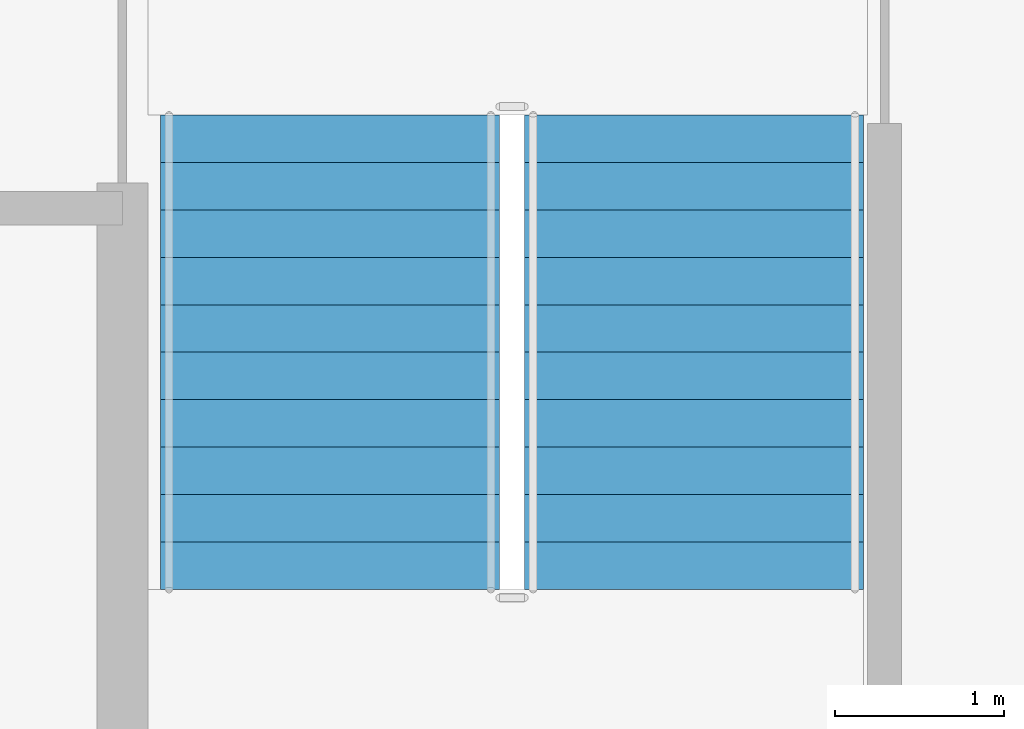
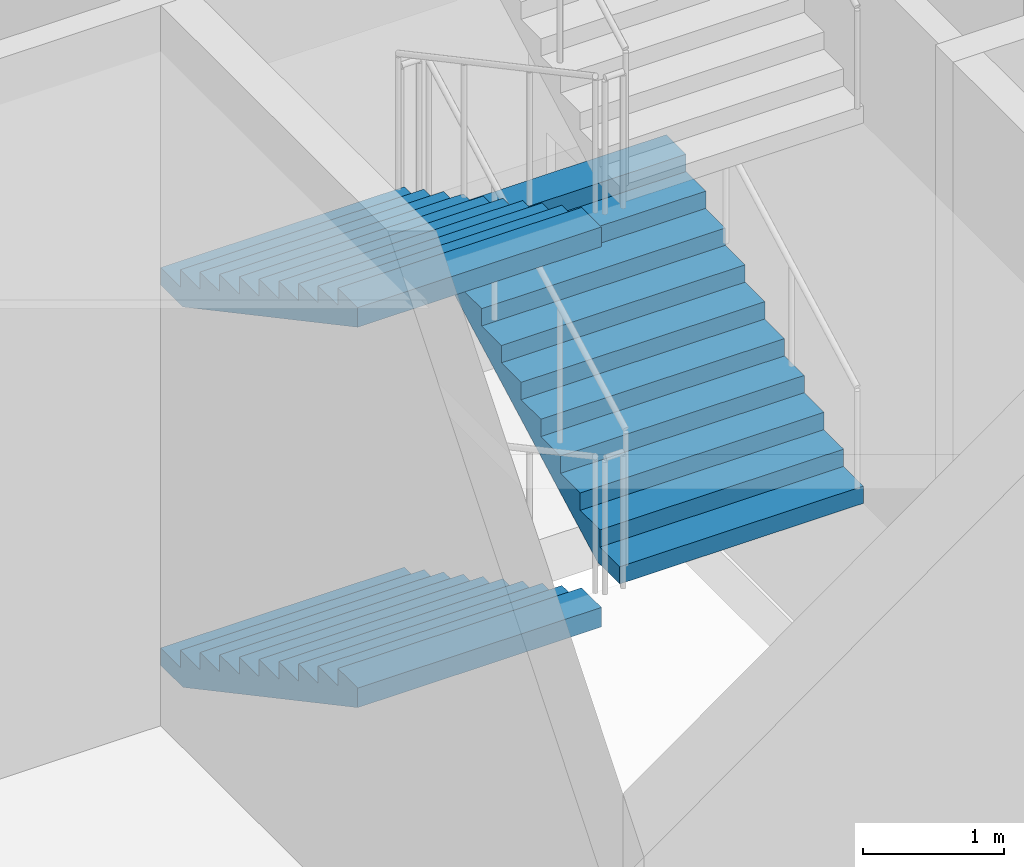
# One storey, part 22 of 38: 3 stair flights, 1 element without a shape of its own.
"""IFC4 building model written with IfcOpenShell, lengths in metres."""

from ifc_helpers import new_model, si_unit, direction, frame, origin, place, context, subcontext, project, spatial, polygons, material, type_object, element, aggregate, save


model = new_model("IFC4")

# Units and contexts
model_context = context("Model", 3, precision=1e-05, world=origin(), true_north=direction((0.0, 1.0)))
body_context = subcontext(model_context, "Body", "Model", "MODEL_VIEW")
ifc_project = project(units=[si_unit("LENGTHUNIT", "METRE"), si_unit("AREAUNIT", "SQUARE_METRE"), si_unit("VOLUMEUNIT", "CUBIC_METRE"), si_unit("PLANEANGLEUNIT", "RADIAN"), si_unit("MASSUNIT", "GRAM", prefix="KILO")], contexts=[model_context])

# Site, building, storey
site_placement = place(None, origin())
site = spatial("IfcSite", under=ifc_project, at=site_placement, CompositionType="ELEMENT")
building_placement = place(site_placement, origin())
building = spatial("IfcBuilding", under=site, at=building_placement, Name="Caravel Reach Hotel and Residences", CompositionType="ELEMENT")
storey_placement = place(building_placement, origin())
storey = spatial("IfcBuildingStorey", under=building, at=storey_placement, Name="L00", CompositionType="ELEMENT", Elevation=0.0)

# Stair, stair flights
ifc_material_1 = material(Name="Concrete C40", Category="concrete")
stair_type = type_object("IfcStairType", Name="Core stair", PredefinedType="HALF_TURN_STAIR", material=ifc_material_1)
stair_placement = place(storey_placement, origin())
stair = element("IfcStair", 1, at=stair_placement, inside=storey, type_object=stair_type, Name="L00 Exit stair A", PredefinedType="HALF_TURN_STAIR")
ifc_material_2 = material(Name="Concrete C40", Category="concrete")
stair_flight_type = type_object("IfcStairFlightType", Name="Core stair flight", PredefinedType="STRAIGHT", material=ifc_material_2)
stair_flight_1_placement = place(storey_placement, frame((19.22509765625, 29.35009765625, 0.0), z_axis=(0.0, 0.0, 1.0), x_axis=(0.0, -1.0, 0.0)))
stair_flight_1 = element("IfcStairFlight", 2, at=stair_flight_1_placement, type_object=stair_flight_type, Name="ST-A flight 1", NumberOfRisers=11, NumberOfTreads=10, PredefinedType="STRAIGHT", RiserHeight=0.15, TreadLength=0.28, context=body_context, shape_type="Tessellation", body=[
    polygons([(0.3174408016601862, 1.0, 0.0), (0.3174408016601862, 0.6666666666666667, 0.0), (0.3174408016601862, 0.33333333333333337, 0.0), (0.3174408016601862, 0.0, 0.0), (0.3174408016601862, -0.33333333333333326, 0.0), (0.3174408016601862, -0.6666666666666667, 0.0), (0.3174408016601862, -1.0, 0.0), (2.801, 1.0, 1.329942427682043), (2.801, 0.6666666666666667, 1.329942427682043), (2.801, 0.33333333333333337, 1.329942427682043), (2.801, 0.0, 1.329942427682043), (2.801, -0.33333333333333326, 1.329942427682043), (2.801, -0.6666666666666667, 1.329942427682043), (2.801, -1.0, 1.329942427682043), (2.801, 1.0, 1.5), (2.801, 0.6666666666666667, 1.5), (2.801, 0.33333333333333337, 1.5), (2.801, 0.0, 1.5), (2.801, -0.33333333333333326, 1.5), (2.801, -0.6666666666666667, 1.5), (2.801, -1.0, 1.5), (2.5200000000000005, 1.0, 1.5), (2.5200000000000005, 0.6666666666666667, 1.5), (2.5200000000000005, 0.33333333333333337, 1.5), (2.5200000000000005, 0.0, 1.5), (2.5200000000000005, -0.33333333333333326, 1.5), (2.5200000000000005, -0.6666666666666667, 1.5), (2.5200000000000005, -1.0, 1.5), (2.5200000000000005, 1.0, 1.3499999999999999), (2.5200000000000005, 0.6666666666666667, 1.3499999999999999), (2.5200000000000005, 0.33333333333333337, 1.3499999999999999), (2.5200000000000005, 0.0, 1.3499999999999999), (2.5200000000000005, -0.33333333333333326, 1.3499999999999999), (2.5200000000000005, -0.6666666666666667, 1.3499999999999999), (2.5200000000000005, -1.0, 1.3499999999999999), (2.24, 1.0, 1.3499999999999999), (2.24, 0.6666666666666667, 1.3499999999999999), (2.24, 0.33333333333333337, 1.3499999999999999), (2.24, 0.0, 1.3499999999999999), (2.24, -0.33333333333333326, 1.3499999999999999), (2.24, -0.6666666666666667, 1.3499999999999999), (2.24, -1.0, 1.3499999999999999), (2.24, 1.0, 1.2), (2.24, 0.6666666666666667, 1.2), (2.24, 0.33333333333333337, 1.2), (2.24, 0.0, 1.2), (2.24, -0.33333333333333326, 1.2), (2.24, -0.6666666666666667, 1.2), (2.24, -1.0, 1.2), (1.9600000000000002, 1.0, 1.2), (1.9600000000000002, 0.6666666666666667, 1.2), (1.9600000000000002, 0.33333333333333337, 1.2), (1.9600000000000002, 0.0, 1.2), (1.9600000000000002, -0.33333333333333326, 1.2), (1.9600000000000002, -0.6666666666666667, 1.2), (1.9600000000000002, -1.0, 1.2), (1.9600000000000002, 1.0, 1.05), (1.9600000000000002, 0.6666666666666667, 1.05), (1.9600000000000002, 0.33333333333333337, 1.05), (1.9600000000000002, 0.0, 1.05), (1.9600000000000002, -0.33333333333333326, 1.05), (1.9600000000000002, -0.6666666666666667, 1.05), (1.9600000000000002, -1.0, 1.05), (1.6800000000000002, 1.0, 1.05), (1.6800000000000002, 0.6666666666666667, 1.05), (1.6800000000000002, 0.33333333333333337, 1.05), (1.6800000000000002, 0.0, 1.05), (1.6800000000000002, -0.33333333333333326, 1.05), (1.6800000000000002, -0.6666666666666667, 1.05), (1.6800000000000002, -1.0, 1.05), (1.6800000000000002, 1.0, 0.8999999999999999), (1.6800000000000002, 0.6666666666666667, 0.8999999999999999), (1.6800000000000002, 0.33333333333333337, 0.8999999999999999), (1.6800000000000002, 0.0, 0.8999999999999999), (1.6800000000000002, -0.33333333333333326, 0.8999999999999999), (1.6800000000000002, -0.6666666666666667, 0.8999999999999999), (1.6800000000000002, -1.0, 0.8999999999999999), (1.4000000000000001, 1.0, 0.8999999999999999), (1.4000000000000001, 0.6666666666666667, 0.8999999999999999), (1.4000000000000001, 0.33333333333333337, 0.8999999999999999), (1.4000000000000001, 0.0, 0.8999999999999999), (1.4000000000000001, -0.33333333333333326, 0.8999999999999999), (1.4000000000000001, -0.6666666666666667, 0.8999999999999999), (1.4000000000000001, -1.0, 0.8999999999999999), (1.4000000000000001, 1.0, 0.75), (1.4000000000000001, 0.6666666666666667, 0.75), (1.4000000000000001, 0.33333333333333337, 0.75), (1.4000000000000001, 0.0, 0.75), (1.4000000000000001, -0.33333333333333326, 0.75), (1.4000000000000001, -0.6666666666666667, 0.75), (1.4000000000000001, -1.0, 0.75), (1.12, 1.0, 0.75), (1.12, 0.6666666666666667, 0.75), (1.12, 0.33333333333333337, 0.75), (1.12, 0.0, 0.75), (1.12, -0.33333333333333326, 0.75), (1.12, -0.6666666666666667, 0.75), (1.12, -1.0, 0.75), (1.12, 1.0, 0.6), (1.12, 0.6666666666666667, 0.6), (1.12, 0.33333333333333337, 0.6), (1.12, 0.0, 0.6), (1.12, -0.33333333333333326, 0.6), (1.12, -0.6666666666666667, 0.6), (1.12, -1.0, 0.6), (0.8400000000000001, 1.0, 0.6), (0.8400000000000001, 0.6666666666666667, 0.6), (0.8400000000000001, 0.33333333333333337, 0.6), (0.8400000000000001, 0.0, 0.6), (0.8400000000000001, -0.33333333333333326, 0.6), (0.8400000000000001, -0.6666666666666667, 0.6), (0.8400000000000001, -1.0, 0.6), (0.8400000000000001, 1.0, 0.44999999999999996), (0.8400000000000001, 0.6666666666666667, 0.44999999999999996), (0.8400000000000001, 0.33333333333333337, 0.44999999999999996), (0.8400000000000001, 0.0, 0.44999999999999996), (0.8400000000000001, -0.33333333333333326, 0.44999999999999996), (0.8400000000000001, -0.6666666666666667, 0.44999999999999996), (0.8400000000000001, -1.0, 0.44999999999999996), (0.56, 1.0, 0.44999999999999996), (0.56, 0.6666666666666667, 0.44999999999999996), (0.56, 0.33333333333333337, 0.44999999999999996), (0.56, 0.0, 0.44999999999999996), (0.56, -0.33333333333333326, 0.44999999999999996), (0.56, -0.6666666666666667, 0.44999999999999996), (0.56, -1.0, 0.44999999999999996), (0.56, 1.0, 0.3), (0.56, 0.6666666666666667, 0.3), (0.56, 0.33333333333333337, 0.3), (0.56, 0.0, 0.3), (0.56, -0.33333333333333326, 0.3), (0.56, -0.6666666666666667, 0.3), (0.56, -1.0, 0.3), (0.28, 1.0, 0.3), (0.28, 0.6666666666666667, 0.3), (0.28, 0.33333333333333337, 0.3), (0.28, 0.0, 0.3), (0.28, -0.33333333333333326, 0.3), (0.28, -0.6666666666666667, 0.3), (0.28, -1.0, 0.3), (0.28, 1.0, 0.15), (0.28, 0.6666666666666667, 0.15), (0.28, 0.33333333333333337, 0.15), (0.28, 0.0, 0.15), (0.28, -0.33333333333333326, 0.15), (0.28, -0.6666666666666667, 0.15), (0.28, -1.0, 0.15), (-0.001, 1.0, 0.15), (-0.001, 0.6666666666666667, 0.15), (-0.001, 0.33333333333333337, 0.15), (-0.001, 0.0, 0.15), (-0.001, -0.33333333333333326, 0.15), (-0.001, -0.6666666666666667, 0.15), (-0.001, -1.0, 0.15), (-0.001, 1.0, 0.0), (-0.001, 0.6666666666666667, 0.0), (-0.001, 0.33333333333333337, 0.0), (-0.001, 0.0, 0.0), (-0.001, -0.33333333333333326, 0.0), (-0.001, -0.6666666666666667, 0.0), (-0.001, -1.0, 0.0)], [[[155, 148, 141, 134, 127, 120, 113, 106, 99, 92, 85, 78, 71, 64, 57, 50, 43, 36, 29, 22, 15, 8, 1]], [[7, 14, 21, 28, 35, 42, 49, 56, 63, 70, 77, 84, 91, 98, 105, 112, 119, 126, 133, 140, 147, 154, 161]], [[1, 8, 9, 2]], [[2, 9, 10, 3]], [[3, 10, 11, 4]], [[4, 11, 12, 5]], [[5, 12, 13, 6]], [[6, 13, 14, 7]], [[8, 15, 16, 9]], [[9, 16, 17, 10]], [[10, 17, 18, 11]], [[11, 18, 19, 12]], [[12, 19, 20, 13]], [[13, 20, 21, 14]], [[15, 22, 23, 16]], [[16, 23, 24, 17]], [[17, 24, 25, 18]], [[18, 25, 26, 19]], [[19, 26, 27, 20]], [[20, 27, 28, 21]], [[22, 29, 30, 23]], [[23, 30, 31, 24]], [[24, 31, 32, 25]], [[25, 32, 33, 26]], [[26, 33, 34, 27]], [[27, 34, 35, 28]], [[29, 36, 37, 30]], [[30, 37, 38, 31]], [[31, 38, 39, 32]], [[32, 39, 40, 33]], [[33, 40, 41, 34]], [[34, 41, 42, 35]], [[36, 43, 44, 37]], [[37, 44, 45, 38]], [[38, 45, 46, 39]], [[39, 46, 47, 40]], [[40, 47, 48, 41]], [[41, 48, 49, 42]], [[43, 50, 51, 44]], [[44, 51, 52, 45]], [[45, 52, 53, 46]], [[46, 53, 54, 47]], [[47, 54, 55, 48]], [[48, 55, 56, 49]], [[50, 57, 58, 51]], [[51, 58, 59, 52]], [[52, 59, 60, 53]], [[53, 60, 61, 54]], [[54, 61, 62, 55]], [[55, 62, 63, 56]], [[57, 64, 65, 58]], [[58, 65, 66, 59]], [[59, 66, 67, 60]], [[60, 67, 68, 61]], [[61, 68, 69, 62]], [[62, 69, 70, 63]], [[64, 71, 72, 65]], [[65, 72, 73, 66]], [[66, 73, 74, 67]], [[67, 74, 75, 68]], [[68, 75, 76, 69]], [[69, 76, 77, 70]], [[71, 78, 79, 72]], [[72, 79, 80, 73]], [[73, 80, 81, 74]], [[74, 81, 82, 75]], [[75, 82, 83, 76]], [[76, 83, 84, 77]], [[78, 85, 86, 79]], [[79, 86, 87, 80]], [[80, 87, 88, 81]], [[81, 88, 89, 82]], [[82, 89, 90, 83]], [[83, 90, 91, 84]], [[85, 92, 93, 86]], [[86, 93, 94, 87]], [[87, 94, 95, 88]], [[88, 95, 96, 89]], [[89, 96, 97, 90]], [[90, 97, 98, 91]], [[92, 99, 100, 93]], [[93, 100, 101, 94]], [[94, 101, 102, 95]], [[95, 102, 103, 96]], [[96, 103, 104, 97]], [[97, 104, 105, 98]], [[99, 106, 107, 100]], [[100, 107, 108, 101]], [[101, 108, 109, 102]], [[102, 109, 110, 103]], [[103, 110, 111, 104]], [[104, 111, 112, 105]], [[106, 113, 114, 107]], [[107, 114, 115, 108]], [[108, 115, 116, 109]], [[109, 116, 117, 110]], [[110, 117, 118, 111]], [[111, 118, 119, 112]], [[113, 120, 121, 114]], [[114, 121, 122, 115]], [[115, 122, 123, 116]], [[116, 123, 124, 117]], [[117, 124, 125, 118]], [[118, 125, 126, 119]], [[120, 127, 128, 121]], [[121, 128, 129, 122]], [[122, 129, 130, 123]], [[123, 130, 131, 124]], [[124, 131, 132, 125]], [[125, 132, 133, 126]], [[127, 134, 135, 128]], [[128, 135, 136, 129]], [[129, 136, 137, 130]], [[130, 137, 138, 131]], [[131, 138, 139, 132]], [[132, 139, 140, 133]], [[134, 141, 142, 135]], [[135, 142, 143, 136]], [[136, 143, 144, 137]], [[137, 144, 145, 138]], [[138, 145, 146, 139]], [[139, 146, 147, 140]], [[141, 148, 149, 142]], [[142, 149, 150, 143]], [[143, 150, 151, 144]], [[144, 151, 152, 145]], [[145, 152, 153, 146]], [[146, 153, 154, 147]], [[148, 155, 156, 149]], [[149, 156, 157, 150]], [[150, 157, 158, 151]], [[151, 158, 159, 152]], [[152, 159, 160, 153]], [[153, 160, 161, 154]], [[155, 1, 2, 156]], [[156, 2, 3, 157]], [[157, 3, 4, 158]], [[158, 4, 5, 159]], [[159, 5, 6, 160]], [[160, 6, 7, 161]]], closed=True),
])
stair_flight_2_placement = place(storey_placement, frame((21.375, 26.550048828125, 1.64990234375), z_axis=(0.0, 0.0, 1.0), x_axis=(0.0, 1.0, 0.0)))
stair_flight_2 = element("IfcStairFlight", 3, at=stair_flight_2_placement, type_object=stair_flight_type, Name="ST-A flight 2", NumberOfRisers=11, NumberOfTreads=10, PredefinedType="STRAIGHT", RiserHeight=0.15, TreadLength=0.28, context=body_context, shape_type="Tessellation", body=[
    polygons([(0.3174408016601862, 1.0, 0.0), (0.3174408016601862, 0.6666666666666667, 0.0), (0.3174408016601862, 0.33333333333333337, 0.0), (0.3174408016601862, 0.0, 0.0), (0.3174408016601862, -0.33333333333333326, 0.0), (0.3174408016601862, -0.6666666666666667, 0.0), (0.3174408016601862, -1.0, 0.0), (2.801, 1.0, 1.329942427682043), (2.801, 0.6666666666666667, 1.329942427682043), (2.801, 0.33333333333333337, 1.329942427682043), (2.801, 0.0, 1.329942427682043), (2.801, -0.33333333333333326, 1.329942427682043), (2.801, -0.6666666666666667, 1.329942427682043), (2.801, -1.0, 1.329942427682043), (2.801, 1.0, 1.5), (2.801, 0.6666666666666667, 1.5), (2.801, 0.33333333333333337, 1.5), (2.801, 0.0, 1.5), (2.801, -0.33333333333333326, 1.5), (2.801, -0.6666666666666667, 1.5), (2.801, -1.0, 1.5), (2.5200000000000005, 1.0, 1.5), (2.5200000000000005, 0.6666666666666667, 1.5), (2.5200000000000005, 0.33333333333333337, 1.5), (2.5200000000000005, 0.0, 1.5), (2.5200000000000005, -0.33333333333333326, 1.5), (2.5200000000000005, -0.6666666666666667, 1.5), (2.5200000000000005, -1.0, 1.5), (2.5200000000000005, 1.0, 1.3499999999999999), (2.5200000000000005, 0.6666666666666667, 1.3499999999999999), (2.5200000000000005, 0.33333333333333337, 1.3499999999999999), (2.5200000000000005, 0.0, 1.3499999999999999), (2.5200000000000005, -0.33333333333333326, 1.3499999999999999), (2.5200000000000005, -0.6666666666666667, 1.3499999999999999), (2.5200000000000005, -1.0, 1.3499999999999999), (2.24, 1.0, 1.3499999999999999), (2.24, 0.6666666666666667, 1.3499999999999999), (2.24, 0.33333333333333337, 1.3499999999999999), (2.24, 0.0, 1.3499999999999999), (2.24, -0.33333333333333326, 1.3499999999999999), (2.24, -0.6666666666666667, 1.3499999999999999), (2.24, -1.0, 1.3499999999999999), (2.24, 1.0, 1.2), (2.24, 0.6666666666666667, 1.2), (2.24, 0.33333333333333337, 1.2), (2.24, 0.0, 1.2), (2.24, -0.33333333333333326, 1.2), (2.24, -0.6666666666666667, 1.2), (2.24, -1.0, 1.2), (1.9600000000000002, 1.0, 1.2), (1.9600000000000002, 0.6666666666666667, 1.2), (1.9600000000000002, 0.33333333333333337, 1.2), (1.9600000000000002, 0.0, 1.2), (1.9600000000000002, -0.33333333333333326, 1.2), (1.9600000000000002, -0.6666666666666667, 1.2), (1.9600000000000002, -1.0, 1.2), (1.9600000000000002, 1.0, 1.05), (1.9600000000000002, 0.6666666666666667, 1.05), (1.9600000000000002, 0.33333333333333337, 1.05), (1.9600000000000002, 0.0, 1.05), (1.9600000000000002, -0.33333333333333326, 1.05), (1.9600000000000002, -0.6666666666666667, 1.05), (1.9600000000000002, -1.0, 1.05), (1.6800000000000002, 1.0, 1.05), (1.6800000000000002, 0.6666666666666667, 1.05), (1.6800000000000002, 0.33333333333333337, 1.05), (1.6800000000000002, 0.0, 1.05), (1.6800000000000002, -0.33333333333333326, 1.05), (1.6800000000000002, -0.6666666666666667, 1.05), (1.6800000000000002, -1.0, 1.05), (1.6800000000000002, 1.0, 0.8999999999999999), (1.6800000000000002, 0.6666666666666667, 0.8999999999999999), (1.6800000000000002, 0.33333333333333337, 0.8999999999999999), (1.6800000000000002, 0.0, 0.8999999999999999), (1.6800000000000002, -0.33333333333333326, 0.8999999999999999), (1.6800000000000002, -0.6666666666666667, 0.8999999999999999), (1.6800000000000002, -1.0, 0.8999999999999999), (1.4000000000000001, 1.0, 0.8999999999999999), (1.4000000000000001, 0.6666666666666667, 0.8999999999999999), (1.4000000000000001, 0.33333333333333337, 0.8999999999999999), (1.4000000000000001, 0.0, 0.8999999999999999), (1.4000000000000001, -0.33333333333333326, 0.8999999999999999), (1.4000000000000001, -0.6666666666666667, 0.8999999999999999), (1.4000000000000001, -1.0, 0.8999999999999999), (1.4000000000000001, 1.0, 0.75), (1.4000000000000001, 0.6666666666666667, 0.75), (1.4000000000000001, 0.33333333333333337, 0.75), (1.4000000000000001, 0.0, 0.75), (1.4000000000000001, -0.33333333333333326, 0.75), (1.4000000000000001, -0.6666666666666667, 0.75), (1.4000000000000001, -1.0, 0.75), (1.12, 1.0, 0.75), (1.12, 0.6666666666666667, 0.75), (1.12, 0.33333333333333337, 0.75), (1.12, 0.0, 0.75), (1.12, -0.33333333333333326, 0.75), (1.12, -0.6666666666666667, 0.75), (1.12, -1.0, 0.75), (1.12, 1.0, 0.6), (1.12, 0.6666666666666667, 0.6), (1.12, 0.33333333333333337, 0.6), (1.12, 0.0, 0.6), (1.12, -0.33333333333333326, 0.6), (1.12, -0.6666666666666667, 0.6), (1.12, -1.0, 0.6), (0.8400000000000001, 1.0, 0.6), (0.8400000000000001, 0.6666666666666667, 0.6), (0.8400000000000001, 0.33333333333333337, 0.6), (0.8400000000000001, 0.0, 0.6), (0.8400000000000001, -0.33333333333333326, 0.6), (0.8400000000000001, -0.6666666666666667, 0.6), (0.8400000000000001, -1.0, 0.6), (0.8400000000000001, 1.0, 0.44999999999999996), (0.8400000000000001, 0.6666666666666667, 0.44999999999999996), (0.8400000000000001, 0.33333333333333337, 0.44999999999999996), (0.8400000000000001, 0.0, 0.44999999999999996), (0.8400000000000001, -0.33333333333333326, 0.44999999999999996), (0.8400000000000001, -0.6666666666666667, 0.44999999999999996), (0.8400000000000001, -1.0, 0.44999999999999996), (0.56, 1.0, 0.44999999999999996), (0.56, 0.6666666666666667, 0.44999999999999996), (0.56, 0.33333333333333337, 0.44999999999999996), (0.56, 0.0, 0.44999999999999996), (0.56, -0.33333333333333326, 0.44999999999999996), (0.56, -0.6666666666666667, 0.44999999999999996), (0.56, -1.0, 0.44999999999999996), (0.56, 1.0, 0.3), (0.56, 0.6666666666666667, 0.3), (0.56, 0.33333333333333337, 0.3), (0.56, 0.0, 0.3), (0.56, -0.33333333333333326, 0.3), (0.56, -0.6666666666666667, 0.3), (0.56, -1.0, 0.3), (0.28, 1.0, 0.3), (0.28, 0.6666666666666667, 0.3), (0.28, 0.33333333333333337, 0.3), (0.28, 0.0, 0.3), (0.28, -0.33333333333333326, 0.3), (0.28, -0.6666666666666667, 0.3), (0.28, -1.0, 0.3), (0.28, 1.0, 0.15), (0.28, 0.6666666666666667, 0.15), (0.28, 0.33333333333333337, 0.15), (0.28, 0.0, 0.15), (0.28, -0.33333333333333326, 0.15), (0.28, -0.6666666666666667, 0.15), (0.28, -1.0, 0.15), (-0.001, 1.0, 0.15), (-0.001, 0.6666666666666667, 0.15), (-0.001, 0.33333333333333337, 0.15), (-0.001, 0.0, 0.15), (-0.001, -0.33333333333333326, 0.15), (-0.001, -0.6666666666666667, 0.15), (-0.001, -1.0, 0.15), (-0.001, 1.0, 0.0), (-0.001, 0.6666666666666667, 0.0), (-0.001, 0.33333333333333337, 0.0), (-0.001, 0.0, 0.0), (-0.001, -0.33333333333333326, 0.0), (-0.001, -0.6666666666666667, 0.0), (-0.001, -1.0, 0.0)], [[[155, 148, 141, 134, 127, 120, 113, 106, 99, 92, 85, 78, 71, 64, 57, 50, 43, 36, 29, 22, 15, 8, 1]], [[7, 14, 21, 28, 35, 42, 49, 56, 63, 70, 77, 84, 91, 98, 105, 112, 119, 126, 133, 140, 147, 154, 161]], [[1, 8, 9, 2]], [[2, 9, 10, 3]], [[3, 10, 11, 4]], [[4, 11, 12, 5]], [[5, 12, 13, 6]], [[6, 13, 14, 7]], [[8, 15, 16, 9]], [[9, 16, 17, 10]], [[10, 17, 18, 11]], [[11, 18, 19, 12]], [[12, 19, 20, 13]], [[13, 20, 21, 14]], [[15, 22, 23, 16]], [[16, 23, 24, 17]], [[17, 24, 25, 18]], [[18, 25, 26, 19]], [[19, 26, 27, 20]], [[20, 27, 28, 21]], [[22, 29, 30, 23]], [[23, 30, 31, 24]], [[24, 31, 32, 25]], [[25, 32, 33, 26]], [[26, 33, 34, 27]], [[27, 34, 35, 28]], [[29, 36, 37, 30]], [[30, 37, 38, 31]], [[31, 38, 39, 32]], [[32, 39, 40, 33]], [[33, 40, 41, 34]], [[34, 41, 42, 35]], [[36, 43, 44, 37]], [[37, 44, 45, 38]], [[38, 45, 46, 39]], [[39, 46, 47, 40]], [[40, 47, 48, 41]], [[41, 48, 49, 42]], [[43, 50, 51, 44]], [[44, 51, 52, 45]], [[45, 52, 53, 46]], [[46, 53, 54, 47]], [[47, 54, 55, 48]], [[48, 55, 56, 49]], [[50, 57, 58, 51]], [[51, 58, 59, 52]], [[52, 59, 60, 53]], [[53, 60, 61, 54]], [[54, 61, 62, 55]], [[55, 62, 63, 56]], [[57, 64, 65, 58]], [[58, 65, 66, 59]], [[59, 66, 67, 60]], [[60, 67, 68, 61]], [[61, 68, 69, 62]], [[62, 69, 70, 63]], [[64, 71, 72, 65]], [[65, 72, 73, 66]], [[66, 73, 74, 67]], [[67, 74, 75, 68]], [[68, 75, 76, 69]], [[69, 76, 77, 70]], [[71, 78, 79, 72]], [[72, 79, 80, 73]], [[73, 80, 81, 74]], [[74, 81, 82, 75]], [[75, 82, 83, 76]], [[76, 83, 84, 77]], [[78, 85, 86, 79]], [[79, 86, 87, 80]], [[80, 87, 88, 81]], [[81, 88, 89, 82]], [[82, 89, 90, 83]], [[83, 90, 91, 84]], [[85, 92, 93, 86]], [[86, 93, 94, 87]], [[87, 94, 95, 88]], [[88, 95, 96, 89]], [[89, 96, 97, 90]], [[90, 97, 98, 91]], [[92, 99, 100, 93]], [[93, 100, 101, 94]], [[94, 101, 102, 95]], [[95, 102, 103, 96]], [[96, 103, 104, 97]], [[97, 104, 105, 98]], [[99, 106, 107, 100]], [[100, 107, 108, 101]], [[101, 108, 109, 102]], [[102, 109, 110, 103]], [[103, 110, 111, 104]], [[104, 111, 112, 105]], [[106, 113, 114, 107]], [[107, 114, 115, 108]], [[108, 115, 116, 109]], [[109, 116, 117, 110]], [[110, 117, 118, 111]], [[111, 118, 119, 112]], [[113, 120, 121, 114]], [[114, 121, 122, 115]], [[115, 122, 123, 116]], [[116, 123, 124, 117]], [[117, 124, 125, 118]], [[118, 125, 126, 119]], [[120, 127, 128, 121]], [[121, 128, 129, 122]], [[122, 129, 130, 123]], [[123, 130, 131, 124]], [[124, 131, 132, 125]], [[125, 132, 133, 126]], [[127, 134, 135, 128]], [[128, 135, 136, 129]], [[129, 136, 137, 130]], [[130, 137, 138, 131]], [[131, 138, 139, 132]], [[132, 139, 140, 133]], [[134, 141, 142, 135]], [[135, 142, 143, 136]], [[136, 143, 144, 137]], [[137, 144, 145, 138]], [[138, 145, 146, 139]], [[139, 146, 147, 140]], [[141, 148, 149, 142]], [[142, 149, 150, 143]], [[143, 150, 151, 144]], [[144, 151, 152, 145]], [[145, 152, 153, 146]], [[146, 153, 154, 147]], [[148, 155, 156, 149]], [[149, 156, 157, 150]], [[150, 157, 158, 151]], [[151, 158, 159, 152]], [[152, 159, 160, 153]], [[153, 160, 161, 154]], [[155, 1, 2, 156]], [[156, 2, 3, 157]], [[157, 3, 4, 158]], [[158, 4, 5, 159]], [[159, 5, 6, 160]], [[160, 6, 7, 161]]], closed=True),
])
stair_flight_3_placement = place(storey_placement, frame((19.22509765625, 29.35009765625, 3.300048828125), z_axis=(0.0, 0.0, 1.0), x_axis=(0.0, -1.0, 0.0)))
stair_flight_3 = element("IfcStairFlight", 4, at=stair_flight_3_placement, type_object=stair_flight_type, Name="ST-A flight 3", NumberOfRisers=11, NumberOfTreads=10, PredefinedType="STRAIGHT", RiserHeight=0.15, TreadLength=0.28, context=body_context, shape_type="Tessellation", body=[
    polygons([(0.3174408016601862, 1.0, 0.0), (0.3174408016601862, 0.6666666666666667, 0.0), (0.3174408016601862, 0.33333333333333337, 0.0), (0.3174408016601862, 0.0, 0.0), (0.3174408016601862, -0.33333333333333326, 0.0), (0.3174408016601862, -0.6666666666666667, 0.0), (0.3174408016601862, -1.0, 0.0), (2.801, 1.0, 1.329942427682043), (2.801, 0.6666666666666667, 1.329942427682043), (2.801, 0.33333333333333337, 1.329942427682043), (2.801, 0.0, 1.329942427682043), (2.801, -0.33333333333333326, 1.329942427682043), (2.801, -0.6666666666666667, 1.329942427682043), (2.801, -1.0, 1.329942427682043), (2.801, 1.0, 1.5), (2.801, 0.6666666666666667, 1.5), (2.801, 0.33333333333333337, 1.5), (2.801, 0.0, 1.5), (2.801, -0.33333333333333326, 1.5), (2.801, -0.6666666666666667, 1.5), (2.801, -1.0, 1.5), (2.5200000000000005, 1.0, 1.5), (2.5200000000000005, 0.6666666666666667, 1.5), (2.5200000000000005, 0.33333333333333337, 1.5), (2.5200000000000005, 0.0, 1.5), (2.5200000000000005, -0.33333333333333326, 1.5), (2.5200000000000005, -0.6666666666666667, 1.5), (2.5200000000000005, -1.0, 1.5), (2.5200000000000005, 1.0, 1.3499999999999999), (2.5200000000000005, 0.6666666666666667, 1.3499999999999999), (2.5200000000000005, 0.33333333333333337, 1.3499999999999999), (2.5200000000000005, 0.0, 1.3499999999999999), (2.5200000000000005, -0.33333333333333326, 1.3499999999999999), (2.5200000000000005, -0.6666666666666667, 1.3499999999999999), (2.5200000000000005, -1.0, 1.3499999999999999), (2.24, 1.0, 1.3499999999999999), (2.24, 0.6666666666666667, 1.3499999999999999), (2.24, 0.33333333333333337, 1.3499999999999999), (2.24, 0.0, 1.3499999999999999), (2.24, -0.33333333333333326, 1.3499999999999999), (2.24, -0.6666666666666667, 1.3499999999999999), (2.24, -1.0, 1.3499999999999999), (2.24, 1.0, 1.2), (2.24, 0.6666666666666667, 1.2), (2.24, 0.33333333333333337, 1.2), (2.24, 0.0, 1.2), (2.24, -0.33333333333333326, 1.2), (2.24, -0.6666666666666667, 1.2), (2.24, -1.0, 1.2), (1.9600000000000002, 1.0, 1.2), (1.9600000000000002, 0.6666666666666667, 1.2), (1.9600000000000002, 0.33333333333333337, 1.2), (1.9600000000000002, 0.0, 1.2), (1.9600000000000002, -0.33333333333333326, 1.2), (1.9600000000000002, -0.6666666666666667, 1.2), (1.9600000000000002, -1.0, 1.2), (1.9600000000000002, 1.0, 1.05), (1.9600000000000002, 0.6666666666666667, 1.05), (1.9600000000000002, 0.33333333333333337, 1.05), (1.9600000000000002, 0.0, 1.05), (1.9600000000000002, -0.33333333333333326, 1.05), (1.9600000000000002, -0.6666666666666667, 1.05), (1.9600000000000002, -1.0, 1.05), (1.6800000000000002, 1.0, 1.05), (1.6800000000000002, 0.6666666666666667, 1.05), (1.6800000000000002, 0.33333333333333337, 1.05), (1.6800000000000002, 0.0, 1.05), (1.6800000000000002, -0.33333333333333326, 1.05), (1.6800000000000002, -0.6666666666666667, 1.05), (1.6800000000000002, -1.0, 1.05), (1.6800000000000002, 1.0, 0.8999999999999999), (1.6800000000000002, 0.6666666666666667, 0.8999999999999999), (1.6800000000000002, 0.33333333333333337, 0.8999999999999999), (1.6800000000000002, 0.0, 0.8999999999999999), (1.6800000000000002, -0.33333333333333326, 0.8999999999999999), (1.6800000000000002, -0.6666666666666667, 0.8999999999999999), (1.6800000000000002, -1.0, 0.8999999999999999), (1.4000000000000001, 1.0, 0.8999999999999999), (1.4000000000000001, 0.6666666666666667, 0.8999999999999999), (1.4000000000000001, 0.33333333333333337, 0.8999999999999999), (1.4000000000000001, 0.0, 0.8999999999999999), (1.4000000000000001, -0.33333333333333326, 0.8999999999999999), (1.4000000000000001, -0.6666666666666667, 0.8999999999999999), (1.4000000000000001, -1.0, 0.8999999999999999), (1.4000000000000001, 1.0, 0.75), (1.4000000000000001, 0.6666666666666667, 0.75), (1.4000000000000001, 0.33333333333333337, 0.75), (1.4000000000000001, 0.0, 0.75), (1.4000000000000001, -0.33333333333333326, 0.75), (1.4000000000000001, -0.6666666666666667, 0.75), (1.4000000000000001, -1.0, 0.75), (1.12, 1.0, 0.75), (1.12, 0.6666666666666667, 0.75), (1.12, 0.33333333333333337, 0.75), (1.12, 0.0, 0.75), (1.12, -0.33333333333333326, 0.75), (1.12, -0.6666666666666667, 0.75), (1.12, -1.0, 0.75), (1.12, 1.0, 0.6), (1.12, 0.6666666666666667, 0.6), (1.12, 0.33333333333333337, 0.6), (1.12, 0.0, 0.6), (1.12, -0.33333333333333326, 0.6), (1.12, -0.6666666666666667, 0.6), (1.12, -1.0, 0.6), (0.8400000000000001, 1.0, 0.6), (0.8400000000000001, 0.6666666666666667, 0.6), (0.8400000000000001, 0.33333333333333337, 0.6), (0.8400000000000001, 0.0, 0.6), (0.8400000000000001, -0.33333333333333326, 0.6), (0.8400000000000001, -0.6666666666666667, 0.6), (0.8400000000000001, -1.0, 0.6), (0.8400000000000001, 1.0, 0.44999999999999996), (0.8400000000000001, 0.6666666666666667, 0.44999999999999996), (0.8400000000000001, 0.33333333333333337, 0.44999999999999996), (0.8400000000000001, 0.0, 0.44999999999999996), (0.8400000000000001, -0.33333333333333326, 0.44999999999999996), (0.8400000000000001, -0.6666666666666667, 0.44999999999999996), (0.8400000000000001, -1.0, 0.44999999999999996), (0.56, 1.0, 0.44999999999999996), (0.56, 0.6666666666666667, 0.44999999999999996), (0.56, 0.33333333333333337, 0.44999999999999996), (0.56, 0.0, 0.44999999999999996), (0.56, -0.33333333333333326, 0.44999999999999996), (0.56, -0.6666666666666667, 0.44999999999999996), (0.56, -1.0, 0.44999999999999996), (0.56, 1.0, 0.3), (0.56, 0.6666666666666667, 0.3), (0.56, 0.33333333333333337, 0.3), (0.56, 0.0, 0.3), (0.56, -0.33333333333333326, 0.3), (0.56, -0.6666666666666667, 0.3), (0.56, -1.0, 0.3), (0.28, 1.0, 0.3), (0.28, 0.6666666666666667, 0.3), (0.28, 0.33333333333333337, 0.3), (0.28, 0.0, 0.3), (0.28, -0.33333333333333326, 0.3), (0.28, -0.6666666666666667, 0.3), (0.28, -1.0, 0.3), (0.28, 1.0, 0.15), (0.28, 0.6666666666666667, 0.15), (0.28, 0.33333333333333337, 0.15), (0.28, 0.0, 0.15), (0.28, -0.33333333333333326, 0.15), (0.28, -0.6666666666666667, 0.15), (0.28, -1.0, 0.15), (-0.001, 1.0, 0.15), (-0.001, 0.6666666666666667, 0.15), (-0.001, 0.33333333333333337, 0.15), (-0.001, 0.0, 0.15), (-0.001, -0.33333333333333326, 0.15), (-0.001, -0.6666666666666667, 0.15), (-0.001, -1.0, 0.15), (-0.001, 1.0, 0.0), (-0.001, 0.6666666666666667, 0.0), (-0.001, 0.33333333333333337, 0.0), (-0.001, 0.0, 0.0), (-0.001, -0.33333333333333326, 0.0), (-0.001, -0.6666666666666667, 0.0), (-0.001, -1.0, 0.0)], [[[155, 148, 141, 134, 127, 120, 113, 106, 99, 92, 85, 78, 71, 64, 57, 50, 43, 36, 29, 22, 15, 8, 1]], [[7, 14, 21, 28, 35, 42, 49, 56, 63, 70, 77, 84, 91, 98, 105, 112, 119, 126, 133, 140, 147, 154, 161]], [[1, 8, 9, 2]], [[2, 9, 10, 3]], [[3, 10, 11, 4]], [[4, 11, 12, 5]], [[5, 12, 13, 6]], [[6, 13, 14, 7]], [[8, 15, 16, 9]], [[9, 16, 17, 10]], [[10, 17, 18, 11]], [[11, 18, 19, 12]], [[12, 19, 20, 13]], [[13, 20, 21, 14]], [[15, 22, 23, 16]], [[16, 23, 24, 17]], [[17, 24, 25, 18]], [[18, 25, 26, 19]], [[19, 26, 27, 20]], [[20, 27, 28, 21]], [[22, 29, 30, 23]], [[23, 30, 31, 24]], [[24, 31, 32, 25]], [[25, 32, 33, 26]], [[26, 33, 34, 27]], [[27, 34, 35, 28]], [[29, 36, 37, 30]], [[30, 37, 38, 31]], [[31, 38, 39, 32]], [[32, 39, 40, 33]], [[33, 40, 41, 34]], [[34, 41, 42, 35]], [[36, 43, 44, 37]], [[37, 44, 45, 38]], [[38, 45, 46, 39]], [[39, 46, 47, 40]], [[40, 47, 48, 41]], [[41, 48, 49, 42]], [[43, 50, 51, 44]], [[44, 51, 52, 45]], [[45, 52, 53, 46]], [[46, 53, 54, 47]], [[47, 54, 55, 48]], [[48, 55, 56, 49]], [[50, 57, 58, 51]], [[51, 58, 59, 52]], [[52, 59, 60, 53]], [[53, 60, 61, 54]], [[54, 61, 62, 55]], [[55, 62, 63, 56]], [[57, 64, 65, 58]], [[58, 65, 66, 59]], [[59, 66, 67, 60]], [[60, 67, 68, 61]], [[61, 68, 69, 62]], [[62, 69, 70, 63]], [[64, 71, 72, 65]], [[65, 72, 73, 66]], [[66, 73, 74, 67]], [[67, 74, 75, 68]], [[68, 75, 76, 69]], [[69, 76, 77, 70]], [[71, 78, 79, 72]], [[72, 79, 80, 73]], [[73, 80, 81, 74]], [[74, 81, 82, 75]], [[75, 82, 83, 76]], [[76, 83, 84, 77]], [[78, 85, 86, 79]], [[79, 86, 87, 80]], [[80, 87, 88, 81]], [[81, 88, 89, 82]], [[82, 89, 90, 83]], [[83, 90, 91, 84]], [[85, 92, 93, 86]], [[86, 93, 94, 87]], [[87, 94, 95, 88]], [[88, 95, 96, 89]], [[89, 96, 97, 90]], [[90, 97, 98, 91]], [[92, 99, 100, 93]], [[93, 100, 101, 94]], [[94, 101, 102, 95]], [[95, 102, 103, 96]], [[96, 103, 104, 97]], [[97, 104, 105, 98]], [[99, 106, 107, 100]], [[100, 107, 108, 101]], [[101, 108, 109, 102]], [[102, 109, 110, 103]], [[103, 110, 111, 104]], [[104, 111, 112, 105]], [[106, 113, 114, 107]], [[107, 114, 115, 108]], [[108, 115, 116, 109]], [[109, 116, 117, 110]], [[110, 117, 118, 111]], [[111, 118, 119, 112]], [[113, 120, 121, 114]], [[114, 121, 122, 115]], [[115, 122, 123, 116]], [[116, 123, 124, 117]], [[117, 124, 125, 118]], [[118, 125, 126, 119]], [[120, 127, 128, 121]], [[121, 128, 129, 122]], [[122, 129, 130, 123]], [[123, 130, 131, 124]], [[124, 131, 132, 125]], [[125, 132, 133, 126]], [[127, 134, 135, 128]], [[128, 135, 136, 129]], [[129, 136, 137, 130]], [[130, 137, 138, 131]], [[131, 138, 139, 132]], [[132, 139, 140, 133]], [[134, 141, 142, 135]], [[135, 142, 143, 136]], [[136, 143, 144, 137]], [[137, 144, 145, 138]], [[138, 145, 146, 139]], [[139, 146, 147, 140]], [[141, 148, 149, 142]], [[142, 149, 150, 143]], [[143, 150, 151, 144]], [[144, 151, 152, 145]], [[145, 152, 153, 146]], [[146, 153, 154, 147]], [[148, 155, 156, 149]], [[149, 156, 157, 150]], [[150, 157, 158, 151]], [[151, 158, 159, 152]], [[152, 159, 160, 153]], [[153, 160, 161, 154]], [[155, 1, 2, 156]], [[156, 2, 3, 157]], [[157, 3, 4, 158]], [[158, 4, 5, 159]], [[159, 5, 6, 160]], [[160, 6, 7, 161]]], closed=True),
])
aggregate(stair, [stair_flight_1, stair_flight_2, stair_flight_3])

save(model, "model.ifc")
